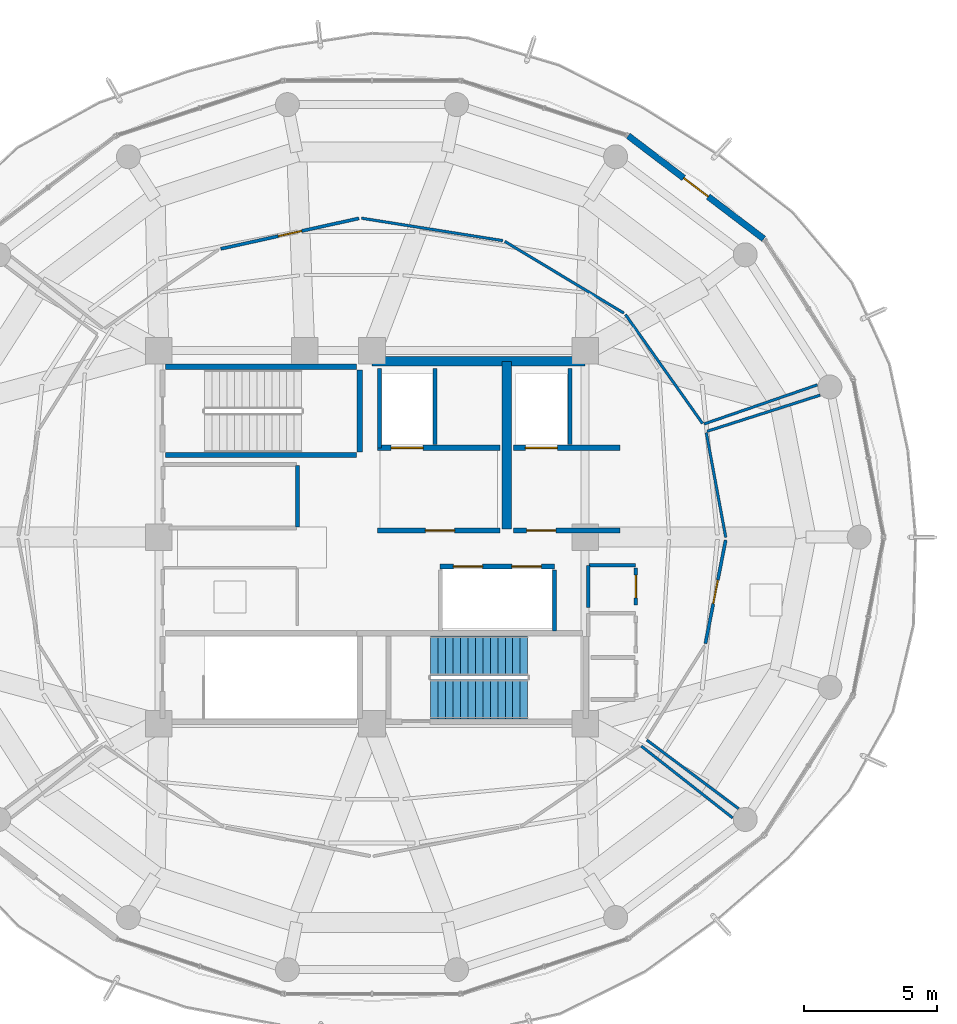
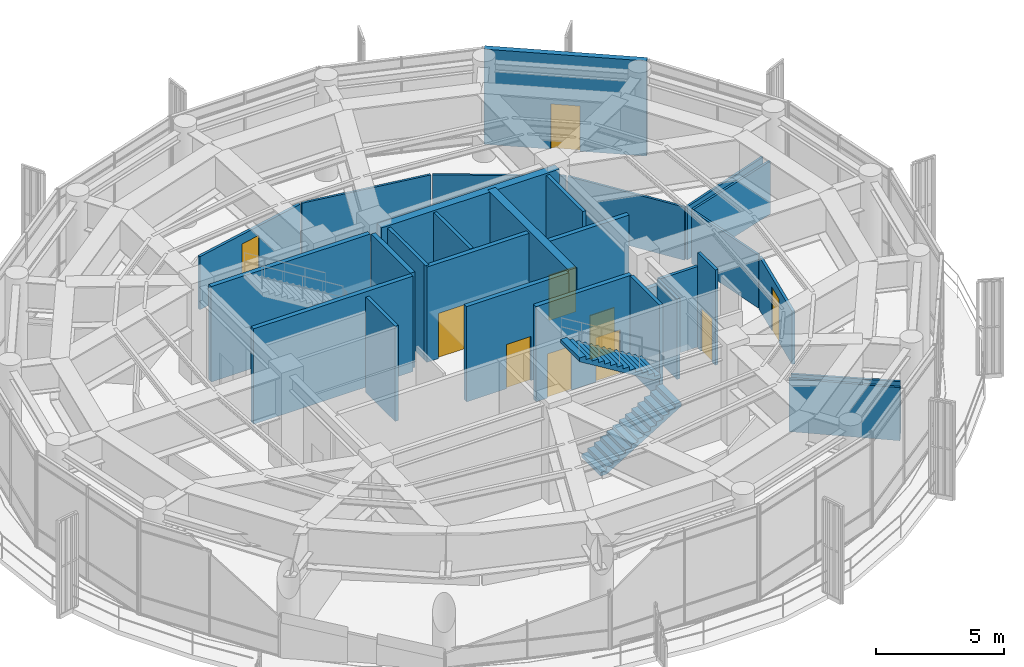
# One storey, part 19 of 23: 29 walls, 10 doors, 2 stair flights, 10 openings, 1 element without a shape of its own.
"""IFC4 building model written with IfcOpenShell, lengths in metres."""

from ifc_helpers import new_model, si_unit, direction, frame, frame_2d, origin, place, context, subcontext, project, spatial, polyline, rectangle, outline, extrude, material, layer, layer_set, type_object, element, fill, aggregate, save


model = new_model("IFC4")

# Units and contexts
model_context = context("Model", 3, precision=1e-05, world=origin(), true_north=direction((0.0, 1.0)))
body_context = subcontext(model_context, "Body", "Model", "MODEL_VIEW")
ifc_project = project(units=[si_unit("LENGTHUNIT", "METRE"), si_unit("AREAUNIT", "SQUARE_METRE"), si_unit("VOLUMEUNIT", "CUBIC_METRE"), si_unit("PLANEANGLEUNIT", "RADIAN"), si_unit("MASSUNIT", "GRAM", prefix="KILO")], contexts=[model_context])

# Site, building, storey
site_placement = place(None, origin())
site = spatial("IfcSite", under=ifc_project, at=site_placement, CompositionType="ELEMENT")
building_placement = place(site_placement, origin())
building = spatial("IfcBuilding", under=site, at=building_placement, Name="Kelanora Arch Commons", CompositionType="ELEMENT")
storey_placement = place(building_placement, frame((0.0, 0.0, 293.699951171875)))
storey = spatial("IfcBuildingStorey", under=building, at=storey_placement, Name="L75", CompositionType="ELEMENT", Elevation=293.699951171875)

# Walls
ifc_material_1 = material(Name="Autoclaved aerated concrete blockwork with fire plaster", Category="masonry")
ifc_layer_1 = layer(ifc_material_1, 0.14990234375)
ifc_layer_set_1 = layer_set([ifc_layer_1], Name="Autoclaved aerated concrete blockwork with fire plaster")
wall_type_1 = type_object("IfcWallType", Name="W-COMP-150", PredefinedType="PARTITIONING", material=ifc_layer_set_1)
wall_1_placement = place(storey_placement, frame((74.280029296875, 61.35009765625, 0.0), z_axis=(0.0, 0.0, 1.0), x_axis=(0.0, 1.0, 0.0)))
element("IfcWall", 1, at=wall_1_placement, inside=storey, type_object=wall_type_1, Name="Firefighting Lift 1 West Shaft Wall L75", PredefinedType="PARTITIONING", context=body_context, shape_type="SweptSolid", body=[
    extrude(rectangle(XDim=2.969970703125, YDim=0.14990234375, at=frame_2d((1.48486328125, 0.0))), origin(), (0.0, 0.0, 1.0), 4.530029296875),
])
for number, where, z_axis, x_axis, name in (
    (2, (76.360107421875, 61.47998046875, 0.0), (0.0, 0.0, 1.0), (0.0, 1.0, 0.0), "Firefighting Lift 1 East Shaft Wall L75"),
    (3, (81.419921875, 61.47998046875, 0.0), (0.0, 0.0, 1.0), (0.0, 1.0, 0.0), "Firefighting Lift 2 East Shaft Wall L75"),
):
    element("IfcWall", number, at=place(storey_placement, frame(where, z_axis=z_axis, x_axis=x_axis)), inside=storey, type_object=wall_type_1, Name=name, PredefinedType="PARTITIONING", context=body_context, shape_type="SweptSolid", body=[
        extrude(rectangle(XDim=2.840087890625, YDim=0.14990234375, at=frame_2d((1.419921875, 0.0))), origin(), (0.0, 0.0, 1.0), 4.530029296875),
    ])
for number, where, z_axis, x_axis, name in (
    (4, (80.840087890625, 54.47998046875, 0.0), (0.0, 0.0, 1.0), (0.0, 1.0, 0.0), "South Lift Bank East Wall L75"),
    (5, (71.199951171875, 58.389892578125, 0.0), (0.0, 0.0, 1.0), (0.0, 1.0, 0.0), "Reclaimed Core Observation Audio-Guide Counter L75 Enclosure Partition 2"),
):
    element("IfcWall", number, at=place(storey_placement, frame(where, z_axis=z_axis, x_axis=x_axis)), inside=storey, type_object=wall_type_1, Name=name, PredefinedType="PARTITIONING", context=body_context, shape_type="SweptSolid", body=[
        extrude(rectangle(XDim=2.2900390625, YDim=0.14990234375, at=frame_2d((1.14501953125, 0.0))), origin(), (0.0, 0.0, 1.0), 4.530029296875),
    ])
ifc_material_2 = material(Name="Concrete C50/60", Category="concrete")
ifc_layer_2 = layer(ifc_material_2, 0.35009765625)
ifc_layer_set_2 = layer_set([ifc_layer_2], Name="Concrete C50/60")
wall_type_2 = type_object("IfcWallType", Name="W-CORE-350", PredefinedType="SHEAR", material=ifc_layer_set_2)
wall_2_placement = place(storey_placement, frame((74.0, 64.60009765625, 0.0), z_axis=(0.0, 0.0, 1.0), x_axis=(1.0, 0.0, 0.0)))
element("IfcWall", 6, at=wall_2_placement, inside=storey, type_object=wall_type_2, Name="Core Shear Spine L75-CN-E", PredefinedType="SHEAR", context=body_context, shape_type="SweptSolid", body=[
    extrude(rectangle(XDim=8.0, YDim=0.35009765625, at=frame_2d((4.0, 0.0))), origin(), (0.0, 0.0, 1.0), 4.5400390625),
])
wall_3_placement = place(storey_placement, frame((79.050048828125, 58.300048828125, 0.0), z_axis=(0.0, 0.0, 1.0), x_axis=(0.0, 1.0, 0.0)))
element("IfcWall", 7, at=wall_3_placement, inside=storey, type_object=wall_type_2, Name="Core Shear Spine L75-CE-N", PredefinedType="SHEAR", context=body_context, shape_type="SweptSolid", body=[
    extrude(rectangle(XDim=6.300048828125, YDim=0.35009765625, at=frame_2d((3.14990234375, 0.0))), origin(), (0.0, 0.0, 1.0), 4.5400390625),
])

# Wall, opening, door
ifc_material_3 = material(Name="Precast concrete C40/50 upper-zone terracotta rainscreen", Category="masonry")
ifc_layer_3 = layer(ifc_material_3, 0.239990234375)
ifc_layer_set_3 = layer_set([ifc_layer_3], Name="Precast concrete C40/50 upper-zone terracotta rainscreen")
wall_type_3 = type_object("IfcWallType", Name="W-EXT-TC2", PredefinedType="SOLIDWALL", material=ifc_layer_set_3)
wall_4_placement = place(storey_placement, frame((88.6962890625, 69.193603515625, 0.0), z_axis=(0.0, 0.0, 1.0), x_axis=(-0.796010444211, 0.605282886514, 0.0)))
wall_4 = element("IfcWall", 8, at=wall_4_placement, inside=storey, type_object=wall_type_3, Name="Terracotta Exterior Wall L75-B02", PredefinedType="SOLIDWALL", context=body_context, shape_type="SweptSolid", body=[
    extrude(rectangle(XDim=6.387451171875, YDim=0.239990234375, at=frame_2d((3.19384765625, 0.0))), origin(), (0.0, 0.0, 1.0), 4.525146484375),
])
opening_1_placement = place(wall_4_placement, frame((2.618896484375, 0.0, 0.0)))
opening_1 = element("IfcOpeningElement", 9, at=opening_1_placement, cuts=wall_4, Name="Opening DT-01", PredefinedType="OPENING", context=body_context, shape_type="SweptSolid", body=[
    extrude(rectangle(XDim=1.14990234375, YDim=2.14990234375, at=frame_2d((0.574951171875, 1.074951171875))), frame((0.0, 0.1298828125, 0.0), z_axis=(0.0, -1.0, 0.0), x_axis=(1.0, 0.0, 0.0)), (0.0, 0.0, 1.0), 0.260009765625),
])
ifc_material_4 = material(Name="Weather-sealed aluminium terrace door", Category="aluminium")
door_type_1 = type_object("IfcDoorType", Name="D-TERR-12", OperationType="NOTDEFINED", PredefinedType="DOOR", material=ifc_material_4)
door_1_placement = place(opening_1_placement, frame((1.14990234375, 0.0, 0.0), z_axis=(0.0, 0.0, 1.0), x_axis=(-1.0, 0.0, 0.0)))
door_1 = element("IfcDoor", 10, at=door_1_placement, inside=storey, type_object=door_type_1, Name="Sky-Terrace Access Door L75-B02", OperationType="SINGLE_SWING_LEFT", OverallHeight=2.14990234375, OverallWidth=1.14990234375, PredefinedType="DOOR", context=body_context, shape_type="SweptSolid", body=[
    extrude(rectangle(XDim=1.14990234375, YDim=2.14990234375, at=frame_2d((0.574951171875, 1.074951171875))), frame((0.0, 0.02490234375, 0.0), z_axis=(0.0, -1.0, 0.0), x_axis=(1.0, 0.0, 0.0)), (0.0, 0.0, 1.0), 0.050048828125),
])
fill(opening_1, door_1)

ifc_material_5 = material(Name="Concrete C40/50", Category="concrete")
ifc_layer_4 = layer(ifc_material_5, 0.199951171875)
ifc_layer_set_4 = layer_set([ifc_layer_4], Name="Concrete C40/50")
wall_type_4 = type_object("IfcWallType", Name="W-FFL-200", PredefinedType="SOLIDWALL", material=ifc_layer_set_4)
wall_5_placement = place(storey_placement, frame((74.199951171875, 61.35009765625, 0.0), z_axis=(0.0, 0.0, 1.0), x_axis=(1.0, 0.0, 0.0)))
wall_5 = element("IfcWall", 11, at=wall_5_placement, inside=storey, type_object=wall_type_4, Name="Firefighting Lift 1 Shaft Front L75", PredefinedType="SOLIDWALL", context=body_context, shape_type="SweptSolid", body=[
    extrude(rectangle(XDim=4.60009765625, YDim=0.199951171875, at=frame_2d((2.300048828125, 0.0))), origin(), (0.0, 0.0, 1.0), 4.530029296875),
])
opening_2_placement = place(wall_5_placement, frame((0.52001953125, 0.0, 0.0)))
opening_2 = element("IfcOpeningElement", 12, at=opening_2_placement, cuts=wall_5, Name="Opening LD-FF", PredefinedType="OPENING", context=body_context, shape_type="SweptSolid", body=[
    extrude(rectangle(XDim=1.199951171875, YDim=2.14990234375, at=frame_2d((0.60009765625, 1.074951171875))), frame((0.0, 0.10986328125, 0.0), z_axis=(0.0, -1.0, 0.0), x_axis=(1.0, 0.0, 0.0)), (0.0, 0.0, 1.0), 0.219970703125),
])
ifc_material_6 = material(Name="Fire-rated firefighters lift sliding landing door")
door_type_2 = type_object("IfcDoorType", Name="D-LIFT-FF", OperationType="NOTDEFINED", PredefinedType="DOOR", material=ifc_material_6)
door_2_placement = place(opening_2_placement, origin())
door_2 = element("IfcDoor", 13, at=door_2_placement, inside=storey, type_object=door_type_2, Name="Firefighting Lift LF-FF1 Landing Door L75", OperationType="DOUBLE_DOOR_SLIDING", OverallHeight=2.14990234375, OverallWidth=1.199951171875, PredefinedType="DOOR", context=body_context, shape_type="SweptSolid", body=[
    extrude(rectangle(XDim=1.199951171875, YDim=2.14990234375, at=frame_2d((0.60009765625, 1.074951171875))), frame((0.0, 0.02490234375, 0.0), z_axis=(0.0, -1.0, 0.0), x_axis=(1.0, 0.0, 0.0)), (0.0, 0.0, 1.0), 0.050048828125),
])
fill(opening_2, door_2)

wall_6_placement = place(storey_placement, frame((79.300048828125, 61.35009765625, 0.0), z_axis=(0.0, 0.0, 1.0), x_axis=(1.0, 0.0, 0.0)))
wall_6 = element("IfcWall", 14, at=wall_6_placement, inside=storey, type_object=wall_type_4, Name="Firefighting Lift 2 Shaft Front L75", PredefinedType="SOLIDWALL", context=body_context, shape_type="SweptSolid", body=[
    extrude(rectangle(XDim=4.0, YDim=0.199951171875, at=frame_2d((2.0, 0.0))), origin(), (0.0, 0.0, 1.0), 3.824951171875),
])
opening_3_placement = place(wall_6_placement, frame((0.449951171875, 0.0, 0.0)))
opening_3 = element("IfcOpeningElement", 15, at=opening_3_placement, cuts=wall_6, Name="Opening LD-FF", PredefinedType="OPENING", context=body_context, shape_type="SweptSolid", body=[
    extrude(rectangle(XDim=1.199951171875, YDim=2.14990234375, at=frame_2d((0.60009765625, 1.074951171875))), frame((0.0, 0.10986328125, 0.0), z_axis=(0.0, -1.0, 0.0), x_axis=(1.0, 0.0, 0.0)), (0.0, 0.0, 1.0), 0.219970703125),
])
door_3_placement = place(opening_3_placement, origin())
door_3 = element("IfcDoor", 16, at=door_3_placement, inside=storey, type_object=door_type_2, Name="Firefighting Lift LF-FF2 Landing Door L75", OperationType="DOUBLE_DOOR_SLIDING", OverallHeight=2.14990234375, OverallWidth=1.199951171875, PredefinedType="DOOR", context=body_context, shape_type="SweptSolid", body=[
    extrude(rectangle(XDim=1.199951171875, YDim=2.14990234375, at=frame_2d((0.60009765625, 1.074951171875))), frame((0.0, 0.02490234375, 0.0), z_axis=(0.0, -1.0, 0.0), x_axis=(1.0, 0.0, 0.0)), (0.0, 0.0, 1.0), 0.050048828125),
])
fill(opening_3, door_3)

wall_7_placement = place(storey_placement, frame((74.199951171875, 58.25, 0.0), z_axis=(0.0, 0.0, 1.0), x_axis=(1.0, 0.0, 0.0)))
wall_7 = element("IfcWall", 17, at=wall_7_placement, inside=storey, type_object=wall_type_4, Name="Firefighting Lobby 1 Enclosure Wall L75", PredefinedType="SOLIDWALL", context=body_context, shape_type="SweptSolid", body=[
    extrude(rectangle(XDim=4.60009765625, YDim=0.199951171875, at=frame_2d((2.300048828125, 0.0))), origin(), (0.0, 0.0, 1.0), 4.530029296875),
])
opening_4_placement = place(wall_7_placement, frame((1.800048828125, 0.0, 0.0)))
opening_4 = element("IfcOpeningElement", 18, at=opening_4_placement, cuts=wall_7, Name="Opening D-FFL1", PredefinedType="OPENING", context=body_context, shape_type="SweptSolid", body=[
    extrude(rectangle(XDim=1.10009765625, YDim=2.10009765625, at=frame_2d((0.550048828125, 1.050048828125))), frame((0.0, 0.10986328125, 0.0), z_axis=(0.0, -1.0, 0.0), x_axis=(1.0, 0.0, 0.0)), (0.0, 0.0, 1.0), 0.219970703125),
])
ifc_material_7 = material(Name="Smoke-sealed firefighting lobby fire door")
door_type_3 = type_object("IfcDoorType", Name="D-FFL-110", OperationType="NOTDEFINED", PredefinedType="DOOR", material=ifc_material_7)
door_4_placement = place(opening_4_placement, frame((1.10009765625, 0.0, 0.0), z_axis=(0.0, 0.0, 1.0), x_axis=(-1.0, 0.0, 0.0)))
door_4 = element("IfcDoor", 19, at=door_4_placement, inside=storey, type_object=door_type_3, Name="Firefighting Lobby 1 Door L75", OperationType="SINGLE_SWING_LEFT", OverallHeight=2.10009765625, OverallWidth=1.10009765625, PredefinedType="DOOR", context=body_context, shape_type="SweptSolid", body=[
    extrude(rectangle(XDim=1.10009765625, YDim=2.10009765625, at=frame_2d((0.550048828125, 1.050048828125))), frame((0.0, 0.02490234375, 0.0), z_axis=(0.0, -1.0, 0.0), x_axis=(1.0, 0.0, 0.0)), (0.0, 0.0, 1.0), 0.050048828125),
])
fill(opening_4, door_4)

wall_8_placement = place(storey_placement, frame((79.300048828125, 58.25, 0.0), z_axis=(0.0, 0.0, 1.0), x_axis=(1.0, 0.0, 0.0)))
wall_8 = element("IfcWall", 20, at=wall_8_placement, inside=storey, type_object=wall_type_4, Name="Firefighting Lobby 2 Enclosure Wall L75", PredefinedType="SOLIDWALL", context=body_context, shape_type="SweptSolid", body=[
    extrude(rectangle(XDim=4.0, YDim=0.199951171875, at=frame_2d((2.0, 0.0))), origin(), (0.0, 0.0, 1.0), 2.525146484375),
])
opening_5_placement = place(wall_8_placement, frame((0.5, 0.0, 0.0)))
opening_5 = element("IfcOpeningElement", 21, at=opening_5_placement, cuts=wall_8, Name="Opening D-FFL1", PredefinedType="OPENING", context=body_context, shape_type="SweptSolid", body=[
    extrude(rectangle(XDim=1.10009765625, YDim=2.10009765625, at=frame_2d((0.550048828125, 1.050048828125))), frame((0.0, 0.10986328125, 0.0), z_axis=(0.0, -1.0, 0.0), x_axis=(1.0, 0.0, 0.0)), (0.0, 0.0, 1.0), 0.219970703125),
])
door_5_placement = place(opening_5_placement, frame((1.10009765625, 0.0, 0.0), z_axis=(0.0, 0.0, 1.0), x_axis=(-1.0, 0.0, 0.0)))
door_5 = element("IfcDoor", 22, at=door_5_placement, inside=storey, type_object=door_type_3, Name="Firefighting Lobby 2 Door L75", OperationType="SINGLE_SWING_RIGHT", OverallHeight=2.10009765625, OverallWidth=1.10009765625, PredefinedType="DOOR", context=body_context, shape_type="SweptSolid", body=[
    extrude(rectangle(XDim=1.10009765625, YDim=2.10009765625, at=frame_2d((0.550048828125, 1.050048828125))), frame((0.0, 0.02490234375, 0.0), z_axis=(0.0, -1.0, 0.0), x_axis=(1.0, 0.0, 0.0)), (0.0, 0.0, 1.0), 0.050048828125),
])
fill(opening_5, door_5)

# Wall, openings, doors
wall_9_placement = place(storey_placement, frame((76.550048828125, 56.89990234375, 0.0), z_axis=(0.0, 0.0, 1.0), x_axis=(1.0, 0.0, 0.0)))
wall_9 = element("IfcWall", 23, at=wall_9_placement, inside=storey, type_object=wall_type_4, Name="Mid/High/Express Lift Shaft Front L75", PredefinedType="SOLIDWALL", context=body_context, shape_type="SweptSolid", body=[
    extrude(rectangle(XDim=4.300048828125, YDim=0.199951171875, at=frame_2d((2.14990234375, 0.0))), origin(), (0.0, 0.0, 1.0), 4.530029296875),
])
opening_6_placement = place(wall_9_placement, frame((0.5, 0.0, 0.0)))
opening_6 = element("IfcOpeningElement", 24, at=opening_6_placement, cuts=wall_9, Name="Opening LD-01", PredefinedType="OPENING", context=body_context, shape_type="SweptSolid", body=[
    extrude(rectangle(XDim=1.10009765625, YDim=2.10009765625, at=frame_2d((0.550048828125, 1.050048828125))), frame((0.0, 0.10986328125, 0.0), z_axis=(0.0, -1.0, 0.0), x_axis=(1.0, 0.0, 0.0)), (0.0, 0.0, 1.0), 0.219970703125),
])
opening_7_placement = place(wall_9_placement, frame((2.699951171875, 0.0, 0.0)))
opening_7 = element("IfcOpeningElement", 25, at=opening_7_placement, cuts=wall_9, Name="Opening LD-01", PredefinedType="OPENING", context=body_context, shape_type="SweptSolid", body=[
    extrude(rectangle(XDim=1.10009765625, YDim=2.10009765625, at=frame_2d((0.550048828125, 1.050048828125))), frame((0.0, 0.10986328125, 0.0), z_axis=(0.0, -1.0, 0.0), x_axis=(1.0, 0.0, 0.0)), (0.0, 0.0, 1.0), 0.219970703125),
])
ifc_material_8 = material(Name="Stainless steel passenger lift sliding landing door", Category="steel")
door_type_4 = type_object("IfcDoorType", Name="D-LIFT-110", OperationType="NOTDEFINED", PredefinedType="DOOR", material=ifc_material_8)
door_6_placement = place(opening_6_placement, origin())
door_6 = element("IfcDoor", 26, at=door_6_placement, inside=storey, type_object=door_type_4, Name="Passenger Lift LF-EX1 Landing Door L75", OperationType="DOUBLE_DOOR_SLIDING", OverallHeight=2.10009765625, OverallWidth=1.10009765625, PredefinedType="DOOR", context=body_context, shape_type="SweptSolid", body=[
    extrude(rectangle(XDim=1.10009765625, YDim=2.10009765625, at=frame_2d((0.550048828125, 1.050048828125))), frame((0.0, 0.02490234375, 0.0), z_axis=(0.0, -1.0, 0.0), x_axis=(1.0, 0.0, 0.0)), (0.0, 0.0, 1.0), 0.050048828125),
])
fill(opening_6, door_6)
door_7_placement = place(opening_7_placement, origin())
door_7 = element("IfcDoor", 27, at=door_7_placement, inside=storey, type_object=door_type_4, Name="Passenger Lift LF-EX2 Landing Door L75", OperationType="DOUBLE_DOOR_SLIDING", OverallHeight=2.10009765625, OverallWidth=1.10009765625, PredefinedType="DOOR", context=body_context, shape_type="SweptSolid", body=[
    extrude(rectangle(XDim=1.10009765625, YDim=2.10009765625, at=frame_2d((0.550048828125, 1.050048828125))), frame((0.0, 0.02490234375, 0.0), z_axis=(0.0, -1.0, 0.0), x_axis=(1.0, 0.0, 0.0)), (0.0, 0.0, 1.0), 0.050048828125),
])
fill(opening_7, door_7)

# Walls
ifc_material_9 = material(Name="Lightweight fire-rated acoustic stud partition")
ifc_layer_5 = layer(ifc_material_9, 0.10009765625)
ifc_layer_set_5 = layer_set([ifc_layer_5], Name="Lightweight fire-rated acoustic stud partition")
wall_type_5 = type_object("IfcWallType", Name="W-PART-100", PredefinedType="PARTITIONING", material=ifc_layer_set_5)
wall_10_placement = place(storey_placement, frame((86.39990234375, 62.267578125, 0.0), z_axis=(0.0, 0.0, 1.0), x_axis=(-0.577818362239, 0.81616538781, 0.0)))
element("IfcWall", 28, at=wall_10_placement, inside=storey, type_object=wall_type_5, Name="Colombo Harbour North Panorama Lounge Enclosure Partition 1", PredefinedType="PARTITIONING", context=body_context, shape_type="SweptSolid", body=[
    extrude(rectangle(XDim=5.0048828125, YDim=0.10009765625, at=frame_2d((2.50244140625, 0.0))), origin(), (0.0, 0.0, 1.0), 2.525146484375),
])
wall_11_placement = place(storey_placement, frame((83.45068359375, 66.405517578125, 0.0), z_axis=(0.0, 0.0, 1.0), x_axis=(-0.856645727069, 0.515905125284, 0.0)))
element("IfcWall", 29, at=wall_11_placement, inside=storey, type_object=wall_type_5, Name="Colombo Harbour North Panorama Lounge Enclosure Partition 2", PredefinedType="PARTITIONING", context=body_context, shape_type="SweptSolid", body=[
    extrude(rectangle(XDim=5.2197265625, YDim=0.10009765625, at=frame_2d((2.60986328125, 0.0))), origin(), (0.0, 0.0, 1.0), 2.525146484375),
])
wall_12_placement = place(storey_placement, frame((78.905517578125, 69.125244140625, 0.0), z_axis=(0.0, 0.0, 1.0), x_axis=(-0.987585923691, 0.15707973557, 0.0)))
element("IfcWall", 30, at=wall_12_placement, inside=storey, type_object=wall_type_5, Name="Colombo Harbour North Panorama Lounge Enclosure Partition 3", PredefinedType="PARTITIONING", context=body_context, shape_type="SweptSolid", body=[
    extrude(rectangle(XDim=5.36376953125, YDim=0.10009765625, at=frame_2d((2.681884765625, 0.0))), origin(), (0.0, 0.0, 1.0), 2.525146484375),
])
wall_13_placement = place(storey_placement, frame((90.708984375, 63.714111328125, 0.0), z_axis=(0.0, 0.0, 1.0), x_axis=(-0.945295018754, -0.326216687984, 0.0)))
element("IfcWall", 31, at=wall_13_placement, inside=storey, type_object=wall_type_5, Name="Colombo Harbour North Panorama Lounge Enclosure Partition 12", PredefinedType="PARTITIONING", context=body_context, shape_type="SweptSolid", body=[
    extrude(rectangle(XDim=4.494140625, YDim=0.10009765625, at=frame_2d((2.2470703125, 0.0))), origin(), (0.0, 0.0, 1.0), 2.525146484375),
])
wall_14_placement = place(storey_placement, frame((84.099609375, 50.163330078125, 0.0), z_axis=(0.0, 0.0, 1.0), x_axis=(0.786300871832, -0.617843782, 0.0)))
element("IfcWall", 32, at=wall_14_placement, inside=storey, type_object=wall_type_5, Name="Southern Coast Seminar and Exhibition Room Enclosure Partition 5", PredefinedType="PARTITIONING", context=body_context, shape_type="SweptSolid", body=[
    extrude(rectangle(XDim=4.365234375, YDim=0.10009765625, at=frame_2d((2.1826171875, 0.0))), origin(), (0.0, 0.0, 1.0), 2.525146484375),
])
wall_15_placement = place(storey_placement, frame((87.272705078125, 57.990234375, 0.0), z_axis=(0.0, 0.0, 1.0), x_axis=(-0.182957331543, 0.983120854643, 0.0)))
element("IfcWall", 33, at=wall_15_placement, inside=storey, type_object=wall_type_5, Name="Sky Tea Lounge and Tasting Bar Enclosure Partition 3", PredefinedType="PARTITIONING", context=body_context, shape_type="SweptSolid", body=[
    extrude(rectangle(XDim=3.997802734375, YDim=0.10009765625, at=frame_2d((1.9990234375, 0.0))), origin(), (0.0, 0.0, 1.0), 2.525146484375),
])
wall_16_placement = place(storey_placement, frame((86.572021484375, 61.97216796875, 0.0), z_axis=(0.0, 0.0, 1.0), x_axis=(0.952449595941, 0.304696188345, 0.0)))
element("IfcWall", 34, at=wall_16_placement, inside=storey, type_object=wall_type_5, Name="Sky Tea Lounge and Tasting Bar Enclosure Partition 4", PredefinedType="PARTITIONING", context=body_context, shape_type="SweptSolid", body=[
    extrude(rectangle(XDim=4.455078125, YDim=0.10009765625, at=frame_2d((2.2275390625, 0.0))), origin(), (0.0, 0.0, 1.0), 2.525146484375),
])
wall_17_placement = place(storey_placement, frame((87.754638671875, 47.8115234375, 0.0), z_axis=(0.0, 0.0, 1.0), x_axis=(-0.800863986332, 0.598846286952, 0.0)))
element("IfcWall", 35, at=wall_17_placement, inside=storey, type_object=wall_type_5, Name="Sky Tea Lounge and Tasting Bar Enclosure Partition 8", PredefinedType="PARTITIONING", context=body_context, shape_type="SweptSolid", body=[
    extrude(rectangle(XDim=4.30224609375, YDim=0.10009765625, at=frame_2d((2.151123046875, 0.0))), origin(), (0.0, 0.0, 1.0), 2.525146484375),
])

# Wall, opening, door
ifc_material_10 = material(Name="Acoustic twin-stud fire-rated gypsum partition")
ifc_layer_6 = layer(ifc_material_10, 0.1201171875)
ifc_layer_set_6 = layer_set([ifc_layer_6], Name="Acoustic twin-stud fire-rated gypsum partition")
wall_type_6 = type_object("IfcWallType", Name="W-PART-120", PredefinedType="PARTITIONING", material=ifc_layer_set_6)
wall_18_placement = place(storey_placement, frame((73.510498046875, 69.961181640625, 0.0), z_axis=(0.0, 0.0, 1.0), x_axis=(-0.976586737222, -0.215124021631, 0.0)))
wall_18 = element("IfcWall", 36, at=wall_18_placement, inside=storey, type_object=wall_type_6, Name="Colombo Harbour North Panorama Lounge Entry Partition", PredefinedType="PARTITIONING", context=body_context, shape_type="SweptSolid", body=[
    extrude(rectangle(XDim=5.31005859375, YDim=0.1201171875, at=frame_2d((2.655029296875, 0.0))), origin(), (0.0, 0.0, 1.0), 2.525146484375),
])
opening_8_placement = place(wall_18_placement, frame((2.205078125, 0.0, 0.0)))
opening_8 = element("IfcOpeningElement", 37, at=opening_8_placement, cuts=wall_18, Name="Opening D-RM1", PredefinedType="OPENING", context=body_context, shape_type="SweptSolid", body=[
    extrude(rectangle(XDim=0.89990234375, YDim=2.080078125, at=frame_2d((0.449951171875, 1.0400390625))), frame((0.0, 0.070068359375, 0.0), z_axis=(0.0, -1.0, 0.0), x_axis=(1.0, 0.0, 0.0)), (0.0, 0.0, 1.0), 0.14013671875),
])
ifc_material_11 = material(Name="Acoustic fire-rated timber study and lounge door", Category="wood")
door_type_5 = type_object("IfcDoorType", Name="D-ROOM-90", OperationType="NOTDEFINED", PredefinedType="DOOR", material=ifc_material_11)
door_8_placement = place(opening_8_placement, origin())
door_8 = element("IfcDoor", 38, at=door_8_placement, inside=storey, type_object=door_type_5, Name="Colombo Harbour North Panorama Lounge Door", OperationType="SINGLE_SWING_LEFT", OverallHeight=2.080078125, OverallWidth=0.89990234375, PredefinedType="DOOR", context=body_context, shape_type="SweptSolid", body=[
    extrude(rectangle(XDim=0.89990234375, YDim=2.080078125, at=frame_2d((0.449951171875, 1.0400390625))), frame((0.0, 0.02490234375, 0.0), z_axis=(0.0, -1.0, 0.0), x_axis=(1.0, 0.0, 0.0)), (0.0, 0.0, 1.0), 0.050048828125),
])
fill(opening_8, door_8)

wall_19_placement = place(storey_placement, frame((86.509521484375, 54.0068359375, 0.0), z_axis=(0.0, 0.0, 1.0), x_axis=(0.191737851033, 0.981446176049, 0.0)))
wall_19 = element("IfcWall", 39, at=wall_19_placement, inside=storey, type_object=wall_type_6, Name="Sky Tea Lounge and Tasting Bar Entry Partition", PredefinedType="PARTITIONING", context=body_context, shape_type="SweptSolid", body=[
    extrude(rectangle(XDim=3.958740234375, YDim=0.1201171875, at=frame_2d((1.9794921875, 0.0))), origin(), (0.0, 0.0, 1.0), 2.525146484375),
])
opening_9_placement = place(wall_19_placement, frame((1.529052734375, 0.0, 0.0)))
opening_9 = element("IfcOpeningElement", 40, at=opening_9_placement, cuts=wall_19, Name="Opening D-RM1", PredefinedType="OPENING", context=body_context, shape_type="SweptSolid", body=[
    extrude(rectangle(XDim=0.89990234375, YDim=2.080078125, at=frame_2d((0.449951171875, 1.0400390625))), frame((0.0, 0.070068359375, 0.0), z_axis=(0.0, -1.0, 0.0), x_axis=(1.0, 0.0, 0.0)), (0.0, 0.0, 1.0), 0.14013671875),
])
door_9_placement = place(opening_9_placement, origin())
door_9 = element("IfcDoor", 41, at=door_9_placement, inside=storey, type_object=door_type_5, Name="Sky Tea Lounge and Tasting Bar Door", OperationType="SINGLE_SWING_RIGHT", OverallHeight=2.080078125, OverallWidth=0.89990234375, PredefinedType="DOOR", context=body_context, shape_type="SweptSolid", body=[
    extrude(rectangle(XDim=0.89990234375, YDim=2.080078125, at=frame_2d((0.449951171875, 1.0400390625))), frame((0.0, 0.02490234375, 0.0), z_axis=(0.0, -1.0, 0.0), x_axis=(1.0, 0.0, 0.0)), (0.0, 0.0, 1.0), 0.050048828125),
])
fill(opening_9, door_9)

# Walls
ifc_layer_7 = layer(ifc_material_5, 0.199951171875)
ifc_layer_set_7 = layer_set([ifc_layer_7], Name="Concrete C40/50")
wall_type_7 = type_object("IfcWallType", Name="W-STAIR-200", PredefinedType="SHEAR", material=ifc_layer_set_7)
wall_20_placement = place(storey_placement, frame((66.260009765625, 61.080078125, 0.0), z_axis=(0.0, 0.0, 1.0), x_axis=(1.0, 0.0, 0.0)))
element("IfcWall", 42, at=wall_20_placement, inside=storey, type_object=wall_type_7, Name="Stair ST-T1 Shaft Wall S L75", PredefinedType="SHEAR", context=body_context, shape_type="SweptSolid", body=[
    extrude(rectangle(XDim=7.159912109375, YDim=0.199951171875, at=frame_2d((3.580078125, 0.0))), origin(), (0.0, 0.0, 1.0), 4.5400390625),
])
wall_21_placement = place(storey_placement, frame((73.5400390625, 61.199951171875, 0.0), z_axis=(0.0, 0.0, 1.0), x_axis=(0.0, 1.0, 0.0)))
element("IfcWall", 43, at=wall_21_placement, inside=storey, type_object=wall_type_7, Name="Stair ST-T1 Shaft Wall E L75", PredefinedType="SHEAR", context=body_context, shape_type="SweptSolid", body=[
    extrude(rectangle(XDim=3.070068359375, YDim=0.199951171875, at=frame_2d((1.53515625, 0.0))), origin(), (0.0, 0.0, 1.0), 4.5400390625),
])
wall_22_placement = place(storey_placement, frame((73.419921875, 64.389892578125, 0.0), z_axis=(0.0, 0.0, 1.0), x_axis=(-1.0, 0.0, 0.0)))
element("IfcWall", 44, at=wall_22_placement, inside=storey, type_object=wall_type_7, Name="Stair ST-T1 Shaft Wall N L75", PredefinedType="SHEAR", context=body_context, shape_type="SweptSolid", body=[
    extrude(rectangle(XDim=7.159912109375, YDim=0.199951171875, at=frame_2d((3.580078125, 0.0))), origin(), (0.0, 0.0, 1.0), 4.5400390625),
])

# Wall, opening, door
ifc_material_12 = material(Name="Moisture-resistant fire-rated cement-board plumbing wall")
ifc_layer_8 = layer(ifc_material_12, 0.1298828125)
ifc_layer_set_8 = layer_set([ifc_layer_8], Name="Moisture-resistant fire-rated cement-board plumbing wall")
wall_type_8 = type_object("IfcWallType", Name="W-WET-120", PredefinedType="PLUMBINGWALL", material=ifc_layer_set_8)
wall_23_placement = place(storey_placement, frame((83.89990234375, 55.4599609375, 0.0), z_axis=(0.0, 0.0, 1.0), x_axis=(0.0, 1.0, 0.0)))
wall_23 = element("IfcWall", 45, at=wall_23_placement, inside=storey, type_object=wall_type_8, Name="Observation Accessible WC L75 Entry Partition", PredefinedType="PLUMBINGWALL", context=body_context, shape_type="SweptSolid", body=[
    extrude(rectangle(XDim=1.380126953125, YDim=0.1298828125, at=frame_2d((0.68994140625, 0.0))), origin(), (0.0, 0.0, 1.0), 4.530029296875),
])
opening_10_placement = place(wall_23_placement, frame((0.260009765625, 0.0, 0.0)))
opening_10 = element("IfcOpeningElement", 46, at=opening_10_placement, cuts=wall_23, Name="Opening D-BT1", PredefinedType="OPENING", context=body_context, shape_type="SweptSolid", body=[
    extrude(rectangle(XDim=0.860107421875, YDim=2.050048828125, at=frame_2d((0.43017578125, 1.02490234375))), frame((0.0, 0.074951171875, 0.0), z_axis=(0.0, -1.0, 0.0), x_axis=(1.0, 0.0, 0.0)), (0.0, 0.0, 1.0), 0.14990234375),
])
ifc_material_13 = material(Name="Moisture-sealed fire-rated accessible bathroom door")
door_type_6 = type_object("IfcDoorType", Name="D-BATH-85", OperationType="NOTDEFINED", PredefinedType="DOOR", material=ifc_material_13)
door_10_placement = place(opening_10_placement, origin())
door_10 = element("IfcDoor", 47, at=door_10_placement, inside=storey, type_object=door_type_6, Name="Observation Accessible WC L75 Door", OperationType="SINGLE_SWING_LEFT", OverallHeight=2.050048828125, OverallWidth=0.860107421875, PredefinedType="DOOR", context=body_context, shape_type="SweptSolid", body=[
    extrude(rectangle(XDim=0.860107421875, YDim=2.050048828125, at=frame_2d((0.43017578125, 1.02490234375))), frame((0.0, 0.02490234375, 0.0), z_axis=(0.0, -1.0, 0.0), x_axis=(1.0, 0.0, 0.0)), (0.0, 0.0, 1.0), 0.050048828125),
])
fill(opening_10, door_10)

# Walls
wall_24_placement = place(storey_placement, frame((83.8798828125, 56.949951171875, 0.0), z_axis=(0.0, 0.0, 1.0), x_axis=(-1.0, 0.0, 0.0)))
element("IfcWall", 48, at=wall_24_placement, inside=storey, type_object=wall_type_8, Name="Observation Accessible WC L75 Enclosure Partition 3", PredefinedType="PLUMBINGWALL", context=body_context, shape_type="SweptSolid", body=[
    extrude(rectangle(XDim=1.739990234375, YDim=0.1298828125, at=frame_2d((0.8701171875, 0.0))), origin(), (0.0, 0.0, 1.0), 3.824951171875),
])
wall_25_placement = place(storey_placement, frame((82.1201171875, 56.929931640625, 0.0), z_axis=(0.0, 0.0, 1.0), x_axis=(0.0, -1.0, 0.0)))
element("IfcWall", 49, at=wall_25_placement, inside=storey, type_object=wall_type_8, Name="Observation Accessible WC L75 Enclosure Partition 4", PredefinedType="PLUMBINGWALL", context=body_context, shape_type="SweptSolid", body=[
    extrude(rectangle(XDim=1.559814453125, YDim=0.1298828125, at=frame_2d((0.77978515625, 0.0))), origin(), (0.0, 0.0, 1.0), 3.824951171875),
])

# Stair, stair flights
stair_type = type_object("IfcStairType", Name="STR-DL-480", PredefinedType="HALF_TURN_STAIR", material=ifc_material_5)
stair_placement = place(storey_placement, origin())
stair = element("IfcStair", 50, at=stair_placement, inside=storey, type_object=stair_type, Name="L75 ST-T2", PredefinedType="HALF_TURN_STAIR")
stair_flight_type = type_object("IfcStairFlightType", Name="FLT-DL-480", PredefinedType="STRAIGHT", material=ifc_material_5)
stair_flight_1_placement = place(storey_placement, frame((76.199951171875, 51.919921875, 0.0), z_axis=(0.0, 0.0, 1.0), x_axis=(1.0, 0.0, 0.0)))
stair_flight_1 = element("IfcStairFlight", 51, at=stair_flight_1_placement, type_object=stair_flight_type, Name="ST-T2 flight 1", NumberOfRisers=14, NumberOfTreads=13, PredefinedType="STRAIGHT", RiserHeight=0.171428571, TreadLength=0.28, context=body_context, shape_type="SweptSolid", body=[
    extrude(outline(polyline([(0.0, 0.0), (0.0, 0.17138671875), (0.280029296875, 0.17138671875), (0.280029296875, 0.3427734375), (0.56005859375, 0.3427734375), (0.56005859375, 0.514404296875), (0.840087890625, 0.514404296875), (0.840087890625, 0.685791015625), (1.1201171875, 0.685791015625), (1.1201171875, 0.857177734375), (1.39990234375, 0.857177734375), (1.39990234375, 1.028564453125), (1.679931640625, 1.028564453125), (1.679931640625, 1.199951171875), (1.9599609375, 1.199951171875), (1.9599609375, 1.371337890625), (2.239990234375, 1.371337890625), (2.239990234375, 1.54296875), (2.52001953125, 1.54296875), (2.52001953125, 1.71435546875), (2.800048828125, 1.71435546875), (2.800048828125, 1.8857421875), (3.080078125, 1.8857421875), (3.080078125, 2.05712890625), (3.360107421875, 2.05712890625), (3.360107421875, 2.228515625), (3.639892578125, 2.228515625), (3.639892578125, 2.39990234375), (3.639892578125, 2.052734375), (0.287109375, 0.0), (0.0, 0.0)])), frame((0.0, 0.739990234375, 0.0), z_axis=(0.0, -1.0, 0.0), x_axis=(1.0, 0.0, 0.0)), (0.0, 0.0, 1.0), 1.47998046875),
])
stair_flight_2_placement = place(storey_placement, frame((79.840087890625, 53.550048828125, 2.400146484375), z_axis=(0.0, 0.0, 1.0), x_axis=(-1.0, 0.0, 0.0)))
stair_flight_2 = element("IfcStairFlight", 52, at=stair_flight_2_placement, type_object=stair_flight_type, Name="ST-T2 flight 2", NumberOfRisers=14, NumberOfTreads=13, PredefinedType="STRAIGHT", RiserHeight=0.171428571, TreadLength=0.28, context=body_context, shape_type="SweptSolid", body=[
    extrude(outline(polyline([(0.0, 0.0), (0.0, 0.17138671875), (0.280029296875, 0.17138671875), (0.280029296875, 0.3427734375), (0.56005859375, 0.3427734375), (0.56005859375, 0.514404296875), (0.840087890625, 0.514404296875), (0.840087890625, 0.685791015625), (1.1201171875, 0.685791015625), (1.1201171875, 0.857177734375), (1.39990234375, 0.857177734375), (1.39990234375, 1.028564453125), (1.679931640625, 1.028564453125), (1.679931640625, 1.199951171875), (1.9599609375, 1.199951171875), (1.9599609375, 1.371337890625), (2.239990234375, 1.371337890625), (2.239990234375, 1.54296875), (2.52001953125, 1.54296875), (2.52001953125, 1.71435546875), (2.800048828125, 1.71435546875), (2.800048828125, 1.8857421875), (3.080078125, 1.8857421875), (3.080078125, 2.05712890625), (3.360107421875, 2.05712890625), (3.360107421875, 2.228515625), (3.639892578125, 2.228515625), (3.639892578125, 2.39990234375), (3.639892578125, 2.052734375), (0.287109375, 0.0), (0.0, 0.0)])), frame((0.0, 0.739990234375, 0.0), z_axis=(0.0, -1.0, 0.0), x_axis=(1.0, 0.0, 0.0)), (0.0, 0.0, 1.0), 1.47998046875),
])
aggregate(stair, [stair_flight_1, stair_flight_2])

save(model, "model.ifc")
